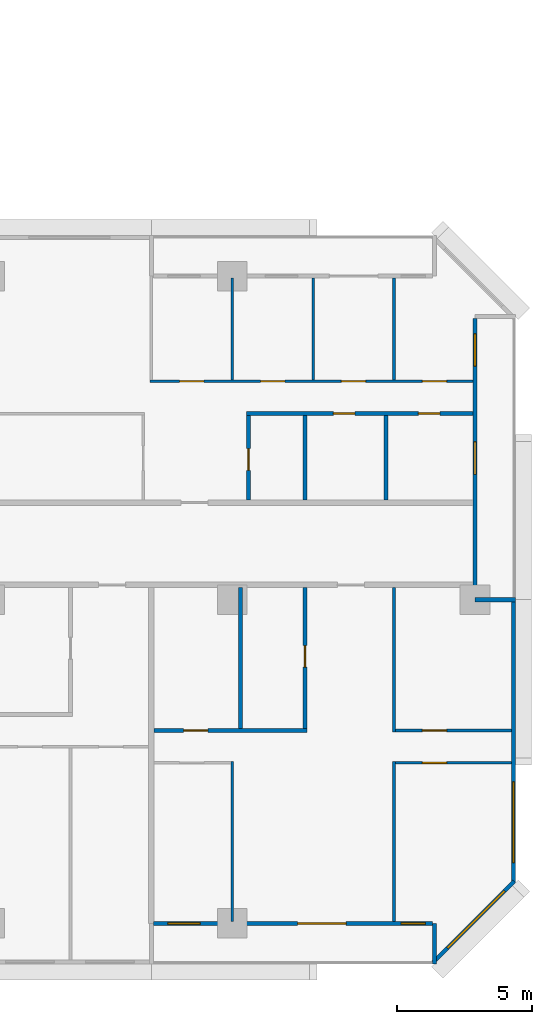
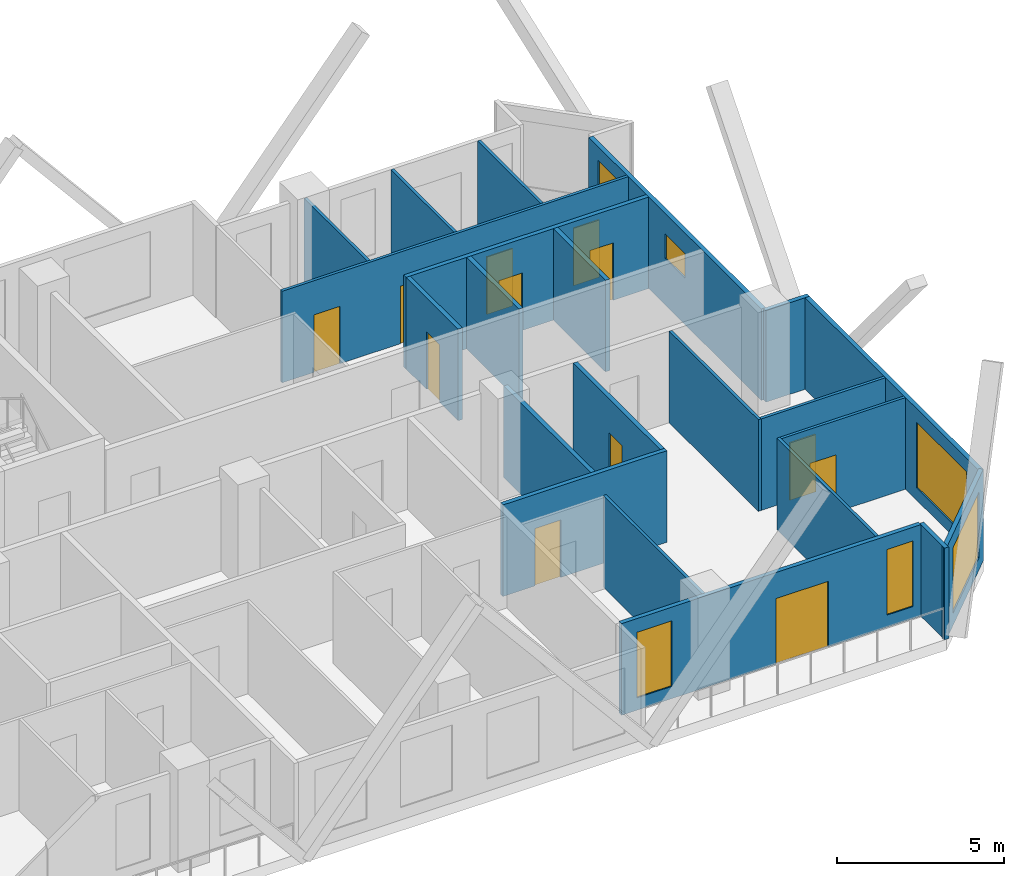
# One storey, part 11 of 15: 22 walls, 12 doors, 6 windows, 18 openings.
"""IFC4 building model written with IfcOpenShell, lengths in metres."""

from ifc_helpers import new_model, si_unit, direction, frame, frame_2d, origin, place, context, subcontext, project, spatial, rectangle, extrude, material, layer, layer_set, type_object, element, fill, save


model = new_model("IFC4")

# Units and contexts
model_context = context("Model", 3, precision=1e-05, world=origin(), true_north=direction((0.0, 1.0)))
body_context = subcontext(model_context, "Body", "Model", "MODEL_VIEW")
ifc_project = project(units=[si_unit("LENGTHUNIT", "METRE"), si_unit("AREAUNIT", "SQUARE_METRE"), si_unit("VOLUMEUNIT", "CUBIC_METRE"), si_unit("PLANEANGLEUNIT", "RADIAN"), si_unit("MASSUNIT", "GRAM", prefix="KILO")], contexts=[model_context])

# Site, building, storey
site_placement = place(None, origin())
site = spatial("IfcSite", under=ifc_project, at=site_placement, CompositionType="ELEMENT")
building_placement = place(site_placement, origin())
building = spatial("IfcBuilding", under=site, at=building_placement, Name="Chenar Terraces", CompositionType="ELEMENT")
storey_placement = place(building_placement, frame((0.0, 0.0, 41.39990234375)))
storey = spatial("IfcBuildingStorey", under=building, at=storey_placement, Name="L07", CompositionType="ELEMENT", Elevation=41.39990234375)

# Wall, opening, window
ifc_material_1 = material(Name="Aluminium framed glazing", Category="aluminium")
ifc_layer_1 = layer(ifc_material_1, 0.14990234375)
ifc_layer_set_1 = layer_set([ifc_layer_1], Name="Aluminium framed glazing")
wall_type_1 = type_object("IfcWallType", Name="Glazed flush facade wall 150", PredefinedType="SOLIDWALL", material=ifc_layer_set_1)
wall_1_placement = place(storey_placement, frame((73.425048828125, 1.5, 0.0), z_axis=(0.0, 0.0, 1.0), x_axis=(0.0, 1.0, 0.0)))
wall_1 = element("IfcWall", 1, at=wall_1_placement, inside=storey, type_object=wall_type_1, Name="Glazed flush facade wall", PredefinedType="SOLIDWALL", context=body_context, shape_type="SweptSolid", body=[
    extrude(rectangle(XDim=10.425048828125, YDim=0.14990234375, at=frame_2d((5.21240234375, 0.0))), origin(), (0.0, 0.0, 1.0), 3.35009765625),
])
opening_1_placement = place(wall_1_placement, frame((0.75, 0.0, 0.449951171875)))
opening_1 = element("IfcOpeningElement", 2, at=opening_1_placement, cuts=wall_1, Name="Opening W300x240", PredefinedType="OPENING", context=body_context, shape_type="SweptSolid", body=[
    extrude(rectangle(XDim=3.0, YDim=2.39990234375, at=frame_2d((1.5, 1.199951171875))), frame((0.0, 0.0849609375, 0.0), z_axis=(0.0, -1.0, 0.0), x_axis=(1.0, 0.0, 0.0)), (0.0, 0.0, 1.0), 0.169921875),
])
ifc_material_2 = material(Name="Low emissivity double glazing, aluminium frame", Category="aluminium")
window_type_1 = type_object("IfcWindowType", Name="Fixed light 3000 x 2400", PartitioningType="SINGLE_PANEL", PredefinedType="WINDOW", material=ifc_material_2)
window_1_placement = place(opening_1_placement, origin())
window_1 = element("IfcWindow", 3, at=window_1_placement, inside=storey, type_object=window_type_1, Name="Window", OverallHeight=2.39990234375, OverallWidth=3.0, PartitioningType="SINGLE_PANEL", PredefinedType="WINDOW", context=body_context, shape_type="SweptSolid", body=[
    extrude(rectangle(XDim=3.0, YDim=2.39990234375, at=frame_2d((1.5, 1.199951171875))), frame((0.0, 0.030029296875, 0.0), z_axis=(0.0, -1.0, 0.0), x_axis=(1.0, 0.0, 0.0)), (0.0, 0.0, 1.0), 0.06005859375),
])
fill(opening_1, window_1)

# Wall, openings, windows, door
ifc_material_3 = material(Name="Aluminium framed glazing", Category="aluminium")
ifc_layer_2 = layer(ifc_material_3, 0.14990234375)
ifc_layer_set_2 = layer_set([ifc_layer_2], Name="Aluminium framed glazing")
wall_type_2 = type_object("IfcWallType", Name="Glazed loggia back wall 150", PredefinedType="SOLIDWALL", material=ifc_layer_set_2)
wall_2_placement = place(storey_placement, frame((60.074951171875, 0.0, 0.0), z_axis=(0.0, 0.0, 1.0), x_axis=(1.0, 0.0, 0.0)))
wall_2 = element("IfcWall", 4, at=wall_2_placement, inside=storey, type_object=wall_type_2, Name="Glazed loggia back wall", PredefinedType="SOLIDWALL", context=body_context, shape_type="SweptSolid", body=[
    extrude(rectangle(XDim=10.35009765625, YDim=0.14990234375, at=frame_2d((5.175048828125, 0.0))), origin(), (0.0, 0.0, 1.0), 3.35009765625),
])
opening_2_placement = place(wall_2_placement, frame((0.53759765625, 0.0, 0.449951171875)))
opening_2 = element("IfcOpeningElement", 5, at=opening_2_placement, cuts=wall_2, Name="Opening W120x240", PredefinedType="OPENING", context=body_context, shape_type="SweptSolid", body=[
    extrude(rectangle(XDim=1.199951171875, YDim=2.39990234375, at=frame_2d((0.60009765625, 1.199951171875))), frame((0.0, 0.0849609375, 0.0), z_axis=(0.0, -1.0, 0.0), x_axis=(1.0, 0.0, 0.0)), (0.0, 0.0, 1.0), 0.169921875),
])
opening_3_placement = place(wall_2_placement, frame((5.35009765625, 0.0, 0.0)))
opening_3 = element("IfcOpeningElement", 6, at=opening_3_placement, cuts=wall_2, Name="Opening DL07-G8", PredefinedType="OPENING", context=body_context, shape_type="SweptSolid", body=[
    extrude(rectangle(XDim=1.800048828125, YDim=2.39990234375, at=frame_2d((0.89990234375, 1.199951171875))), frame((0.0, 0.0849609375, 0.0), z_axis=(0.0, -1.0, 0.0), x_axis=(1.0, 0.0, 0.0)), (0.0, 0.0, 1.0), 0.169921875),
])
opening_4_placement = place(wall_2_placement, frame((9.1875, 0.0, 0.449951171875)))
opening_4 = element("IfcOpeningElement", 7, at=opening_4_placement, cuts=wall_2, Name="Opening W90x240", PredefinedType="OPENING", context=body_context, shape_type="SweptSolid", body=[
    extrude(rectangle(XDim=0.89990234375, YDim=2.39990234375, at=frame_2d((0.449951171875, 1.199951171875))), frame((0.0, 0.0849609375, 0.0), z_axis=(0.0, -1.0, 0.0), x_axis=(1.0, 0.0, 0.0)), (0.0, 0.0, 1.0), 0.169921875),
])
ifc_material_4 = material(Name="Low emissivity double glazing, aluminium frame", Category="aluminium")
window_type_2 = type_object("IfcWindowType", Name="Fixed light 1200 x 2400", PartitioningType="SINGLE_PANEL", PredefinedType="WINDOW", material=ifc_material_4)
window_2_placement = place(opening_2_placement, origin())
window_2 = element("IfcWindow", 8, at=window_2_placement, inside=storey, type_object=window_type_2, Name="Window", OverallHeight=2.39990234375, OverallWidth=1.199951171875, PartitioningType="SINGLE_PANEL", PredefinedType="WINDOW", context=body_context, shape_type="SweptSolid", body=[
    extrude(rectangle(XDim=1.199951171875, YDim=2.39990234375, at=frame_2d((0.60009765625, 1.199951171875))), frame((0.0, 0.030029296875, 0.0), z_axis=(0.0, -1.0, 0.0), x_axis=(1.0, 0.0, 0.0)), (0.0, 0.0, 1.0), 0.06005859375),
])
fill(opening_2, window_2)
ifc_material_5 = material(Name="Low emissivity double glazing, aluminium frame", Category="aluminium")
window_type_3 = type_object("IfcWindowType", Name="Fixed light 900 x 2400", PartitioningType="SINGLE_PANEL", PredefinedType="WINDOW", material=ifc_material_5)
window_3_placement = place(opening_4_placement, origin())
window_3 = element("IfcWindow", 9, at=window_3_placement, inside=storey, type_object=window_type_3, Name="Window", OverallHeight=2.39990234375, OverallWidth=0.89990234375, PartitioningType="SINGLE_PANEL", PredefinedType="WINDOW", context=body_context, shape_type="SweptSolid", body=[
    extrude(rectangle(XDim=0.89990234375, YDim=2.39990234375, at=frame_2d((0.449951171875, 1.199951171875))), frame((0.0, 0.030029296875, 0.0), z_axis=(0.0, -1.0, 0.0), x_axis=(1.0, 0.0, 0.0)), (0.0, 0.0, 1.0), 0.06005859375),
])
fill(opening_4, window_3)
ifc_material_6 = material(Name="Low emissivity double glazing, aluminium frame", Category="aluminium")
door_type_1 = type_object("IfcDoorType", Name="Loggia glazed double door 1800 x 2400", OperationType="DOUBLE_DOOR_SINGLE_SWING", PredefinedType="DOOR", material=ifc_material_6)
door_1_placement = place(opening_3_placement, frame((1.800048828125, 0.0, 0.0), z_axis=(0.0, 0.0, 1.0), x_axis=(-1.0, 0.0, 0.0)))
door_1 = element("IfcDoor", 10, at=door_1_placement, inside=storey, type_object=door_type_1, Name="Loggia glazed door", OperationType="DOUBLE_DOOR_SINGLE_SWING", OverallHeight=2.39990234375, OverallWidth=1.800048828125, PredefinedType="DOOR", context=body_context, shape_type="SweptSolid", body=[
    extrude(rectangle(XDim=1.800048828125, YDim=2.39990234375, at=frame_2d((0.89990234375, 1.199951171875))), frame((0.0, 0.02490234375, 0.0), z_axis=(0.0, -1.0, 0.0), x_axis=(1.0, 0.0, 0.0)), (0.0, 0.0, 1.0), 0.050048828125),
])
fill(opening_3, door_1)

# Wall, openings, windows
wall_3_placement = place(storey_placement, frame((72.0, 12.074951171875, 0.0), z_axis=(0.0, 0.0, 1.0), x_axis=(0.0, 1.0, 0.0)))
wall_3 = element("IfcWall", 11, at=wall_3_placement, inside=storey, type_object=wall_type_2, Name="Glazed loggia back wall", PredefinedType="SOLIDWALL", context=body_context, shape_type="SweptSolid", body=[
    extrude(rectangle(XDim=10.35009765625, YDim=0.14990234375, at=frame_2d((5.175048828125, 0.0))), origin(), (0.0, 0.0, 1.0), 3.35009765625),
])
opening_5_placement = place(wall_3_placement, frame((4.574951171875, 0.0, 1.699951171875)))
opening_5 = element("IfcOpeningElement", 12, at=opening_5_placement, cuts=wall_3, Name="Opening W120x90", PredefinedType="OPENING", context=body_context, shape_type="SweptSolid", body=[
    extrude(rectangle(XDim=1.199951171875, YDim=0.89990234375, at=frame_2d((0.60009765625, 0.449951171875))), frame((0.0, 0.0849609375, 0.0), z_axis=(0.0, -1.0, 0.0), x_axis=(1.0, 0.0, 0.0)), (0.0, 0.0, 1.0), 0.169921875),
])
opening_6_placement = place(wall_3_placement, frame((8.58740234375, 0.0, 0.449951171875)))
opening_6 = element("IfcOpeningElement", 13, at=opening_6_placement, cuts=wall_3, Name="Opening W120x240", PredefinedType="OPENING", context=body_context, shape_type="SweptSolid", body=[
    extrude(rectangle(XDim=1.199951171875, YDim=2.39990234375, at=frame_2d((0.60009765625, 1.199951171875))), frame((0.0, 0.0849609375, 0.0), z_axis=(0.0, -1.0, 0.0), x_axis=(1.0, 0.0, 0.0)), (0.0, 0.0, 1.0), 0.169921875),
])
window_4_placement = place(opening_6_placement, origin())
window_4 = element("IfcWindow", 14, at=window_4_placement, inside=storey, type_object=window_type_2, Name="Window", OverallHeight=2.39990234375, OverallWidth=1.199951171875, PartitioningType="SINGLE_PANEL", PredefinedType="WINDOW", context=body_context, shape_type="SweptSolid", body=[
    extrude(rectangle(XDim=1.199951171875, YDim=2.39990234375, at=frame_2d((0.60009765625, 1.199951171875))), frame((0.0, 0.030029296875, 0.0), z_axis=(0.0, -1.0, 0.0), x_axis=(1.0, 0.0, 0.0)), (0.0, 0.0, 1.0), 0.06005859375),
])
fill(opening_6, window_4)
ifc_material_7 = material(Name="Low emissivity double glazing, aluminium frame", Category="aluminium")
window_type_4 = type_object("IfcWindowType", Name="Fixed light 1200 x 900", PartitioningType="SINGLE_PANEL", PredefinedType="WINDOW", material=ifc_material_7)
window_5_placement = place(opening_5_placement, origin())
window_5 = element("IfcWindow", 15, at=window_5_placement, inside=storey, type_object=window_type_4, Name="Window", OverallHeight=0.89990234375, OverallWidth=1.199951171875, PartitioningType="SINGLE_PANEL", PredefinedType="WINDOW", context=body_context, shape_type="SweptSolid", body=[
    extrude(rectangle(XDim=1.199951171875, YDim=0.89990234375, at=frame_2d((0.60009765625, 0.449951171875))), frame((0.0, 0.030029296875, 0.0), z_axis=(0.0, -1.0, 0.0), x_axis=(1.0, 0.0, 0.0)), (0.0, 0.0, 1.0), 0.06005859375),
])
fill(opening_5, window_5)

# Wall, openings, doors
ifc_material_8 = material(Name="Gypsum board on steel studs", Category="steel")
ifc_layer_3 = layer(ifc_material_8, 0.10009765625)
ifc_layer_set_3 = layer_set([ifc_layer_3], Name="Gypsum board on steel studs")
wall_type_3 = type_object("IfcWallType", Name="Gypsum partition 100", PredefinedType="PARTITIONING", material=ifc_layer_set_3)
wall_4_placement = place(storey_placement, frame((59.949951171875, 20.10009765625, 0.0), z_axis=(0.0, 0.0, 1.0), x_axis=(1.0, 0.0, 0.0)))
wall_4 = element("IfcWall", 16, at=wall_4_placement, inside=storey, type_object=wall_type_3, Name="Partition L07-084", PredefinedType="PARTITIONING", context=body_context, shape_type="SweptSolid", body=[
    extrude(rectangle(XDim=11.97607421875, YDim=0.10009765625, at=frame_2d((5.988037109375, 0.0))), origin(), (0.0, 0.0, 1.0), 3.35009765625),
])
opening_7_placement = place(wall_4_placement, frame((1.10009765625, 0.0, 0.0)))
opening_7 = element("IfcOpeningElement", 17, at=opening_7_placement, cuts=wall_4, Name="Opening DL07-5", PredefinedType="OPENING", context=body_context, shape_type="SweptSolid", body=[
    extrude(rectangle(XDim=0.89990234375, YDim=2.10009765625, at=frame_2d((0.449951171875, 1.050048828125))), frame((0.0, 0.06005859375, 0.0), z_axis=(0.0, -1.0, 0.0), x_axis=(1.0, 0.0, 0.0)), (0.0, 0.0, 1.0), 0.1201171875),
])
opening_8_placement = place(wall_4_placement, frame((4.10009765625, 0.0, 0.0)))
opening_8 = element("IfcOpeningElement", 18, at=opening_8_placement, cuts=wall_4, Name="Opening DL07-6", PredefinedType="OPENING", context=body_context, shape_type="SweptSolid", body=[
    extrude(rectangle(XDim=0.89990234375, YDim=2.10009765625, at=frame_2d((0.449951171875, 1.050048828125))), frame((0.0, 0.06005859375, 0.0), z_axis=(0.0, -1.0, 0.0), x_axis=(1.0, 0.0, 0.0)), (0.0, 0.0, 1.0), 0.1201171875),
])
opening_9_placement = place(wall_4_placement, frame((7.10009765625, 0.0, 0.0)))
opening_9 = element("IfcOpeningElement", 19, at=opening_9_placement, cuts=wall_4, Name="Opening DL07-7", PredefinedType="OPENING", context=body_context, shape_type="SweptSolid", body=[
    extrude(rectangle(XDim=0.89990234375, YDim=2.10009765625, at=frame_2d((0.449951171875, 1.050048828125))), frame((0.0, 0.06005859375, 0.0), z_axis=(0.0, -1.0, 0.0), x_axis=(1.0, 0.0, 0.0)), (0.0, 0.0, 1.0), 0.1201171875),
])
opening_10_placement = place(wall_4_placement, frame((10.10009765625, 0.0, 0.0)))
opening_10 = element("IfcOpeningElement", 20, at=opening_10_placement, cuts=wall_4, Name="Opening DL07-8", PredefinedType="OPENING", context=body_context, shape_type="SweptSolid", body=[
    extrude(rectangle(XDim=0.89990234375, YDim=2.10009765625, at=frame_2d((0.449951171875, 1.050048828125))), frame((0.0, 0.06005859375, 0.0), z_axis=(0.0, -1.0, 0.0), x_axis=(1.0, 0.0, 0.0)), (0.0, 0.0, 1.0), 0.1201171875),
])
ifc_material_9 = material(Name="Veneered timber door leaf", Category="wood")
door_type_2 = type_object("IfcDoorType", Name="Door 900 x 2100", OperationType="SINGLE_SWING_LEFT", PredefinedType="DOOR", material=ifc_material_9)
door_2_placement = place(opening_7_placement, origin())
door_2 = element("IfcDoor", 21, at=door_2_placement, inside=storey, type_object=door_type_2, Name="Door DL07-5", OperationType="SINGLE_SWING_LEFT", OverallHeight=2.10009765625, OverallWidth=0.89990234375, PredefinedType="DOOR", context=body_context, shape_type="SweptSolid", body=[
    extrude(rectangle(XDim=0.89990234375, YDim=2.10009765625, at=frame_2d((0.449951171875, 1.050048828125))), frame((0.0, 0.02490234375, 0.0), z_axis=(0.0, -1.0, 0.0), x_axis=(1.0, 0.0, 0.0)), (0.0, 0.0, 1.0), 0.050048828125),
])
fill(opening_7, door_2)
door_3_placement = place(opening_8_placement, origin())
door_3 = element("IfcDoor", 22, at=door_3_placement, inside=storey, type_object=door_type_2, Name="Door DL07-6", OperationType="SINGLE_SWING_LEFT", OverallHeight=2.10009765625, OverallWidth=0.89990234375, PredefinedType="DOOR", context=body_context, shape_type="SweptSolid", body=[
    extrude(rectangle(XDim=0.89990234375, YDim=2.10009765625, at=frame_2d((0.449951171875, 1.050048828125))), frame((0.0, 0.02490234375, 0.0), z_axis=(0.0, -1.0, 0.0), x_axis=(1.0, 0.0, 0.0)), (0.0, 0.0, 1.0), 0.050048828125),
])
fill(opening_8, door_3)
door_4_placement = place(opening_9_placement, origin())
door_4 = element("IfcDoor", 23, at=door_4_placement, inside=storey, type_object=door_type_2, Name="Door DL07-7", OperationType="SINGLE_SWING_LEFT", OverallHeight=2.10009765625, OverallWidth=0.89990234375, PredefinedType="DOOR", context=body_context, shape_type="SweptSolid", body=[
    extrude(rectangle(XDim=0.89990234375, YDim=2.10009765625, at=frame_2d((0.449951171875, 1.050048828125))), frame((0.0, 0.02490234375, 0.0), z_axis=(0.0, -1.0, 0.0), x_axis=(1.0, 0.0, 0.0)), (0.0, 0.0, 1.0), 0.050048828125),
])
fill(opening_9, door_4)
door_5_placement = place(opening_10_placement, origin())
door_5 = element("IfcDoor", 24, at=door_5_placement, inside=storey, type_object=door_type_2, Name="Door DL07-8", OperationType="SINGLE_SWING_LEFT", OverallHeight=2.10009765625, OverallWidth=0.89990234375, PredefinedType="DOOR", context=body_context, shape_type="SweptSolid", body=[
    extrude(rectangle(XDim=0.89990234375, YDim=2.10009765625, at=frame_2d((0.449951171875, 1.050048828125))), frame((0.0, 0.02490234375, 0.0), z_axis=(0.0, -1.0, 0.0), x_axis=(1.0, 0.0, 0.0)), (0.0, 0.0, 1.0), 0.050048828125),
])
fill(opening_10, door_5)

# Walls
wall_5_placement = place(storey_placement, frame((63.0, 0.073974609375, 0.0), z_axis=(0.0, 0.0, 1.0), x_axis=(0.0, 1.0, 0.0)))
element("IfcWall", 25, at=wall_5_placement, inside=storey, type_object=wall_type_3, Name="Partition L07-089", PredefinedType="PARTITIONING", context=body_context, shape_type="SweptSolid", body=[
    extrude(rectangle(XDim=5.926025390625, YDim=0.10009765625, at=frame_2d((2.962890625, 0.0))), origin(), (0.0, 0.0, 1.0), 3.35009765625),
])
for number, where, z_axis, x_axis, name in (
    (26, (63.0, 20.14990234375, 0.0), (0.0, 0.0, 1.0), (0.0, 1.0, 0.0), "Partition L07-090"),
    (27, (66.0, 20.14990234375, 0.0), (0.0, 0.0, 1.0), (0.0, 1.0, 0.0), "Partition L07-096"),
):
    element("IfcWall", number, at=place(storey_placement, frame(where, z_axis=z_axis, x_axis=x_axis)), inside=storey, type_object=wall_type_3, Name=name, PredefinedType="PARTITIONING", context=body_context, shape_type="SweptSolid", body=[
        extrude(rectangle(XDim=3.776123046875, YDim=0.10009765625, at=frame_2d((1.88818359375, 0.0))), origin(), (0.0, 0.0, 1.0), 3.35009765625),
    ])
wall_6_placement = place(storey_placement, frame((69.0, 0.073974609375, 0.0), z_axis=(0.0, 0.0, 1.0), x_axis=(0.0, 1.0, 0.0)))
element("IfcWall", 28, at=wall_6_placement, inside=storey, type_object=wall_type_3, Name="Partition L07-098", PredefinedType="PARTITIONING", context=body_context, shape_type="SweptSolid", body=[
    extrude(rectangle(XDim=5.926025390625, YDim=0.10009765625, at=frame_2d((2.962890625, 0.0))), origin(), (0.0, 0.0, 1.0), 3.35009765625),
])
wall_7_placement = place(storey_placement, frame((69.0, 7.10009765625, 0.0), z_axis=(0.0, 0.0, 1.0), x_axis=(0.0, 1.0, 0.0)))
element("IfcWall", 29, at=wall_7_placement, inside=storey, type_object=wall_type_3, Name="Partition L07-099", PredefinedType="PARTITIONING", context=body_context, shape_type="SweptSolid", body=[
    extrude(rectangle(XDim=5.349853515625, YDim=0.10009765625, at=frame_2d((2.6748046875, 0.0))), origin(), (0.0, 0.0, 1.0), 3.35009765625),
])
wall_8_placement = place(storey_placement, frame((69.0, 20.14990234375, 0.0), z_axis=(0.0, 0.0, 1.0), x_axis=(0.0, 1.0, 0.0)))
element("IfcWall", 30, at=wall_8_placement, inside=storey, type_object=wall_type_3, Name="Partition L07-100", PredefinedType="PARTITIONING", context=body_context, shape_type="SweptSolid", body=[
    extrude(rectangle(XDim=3.776123046875, YDim=0.10009765625, at=frame_2d((1.88818359375, 0.0))), origin(), (0.0, 0.0, 1.0), 3.35009765625),
])

# Wall, opening, door
wall_9_placement = place(storey_placement, frame((69.050048828125, 5.949951171875, 0.0), z_axis=(0.0, 0.0, 1.0), x_axis=(1.0, 0.0, 0.0)))
wall_9 = element("IfcWall", 31, at=wall_9_placement, inside=storey, type_object=wall_type_3, Name="Partition L07-101", PredefinedType="PARTITIONING", context=body_context, shape_type="SweptSolid", body=[
    extrude(rectangle(XDim=4.300048828125, YDim=0.10009765625, at=frame_2d((2.14990234375, 0.0))), origin(), (0.0, 0.0, 1.0), 3.35009765625),
])
opening_11_placement = place(wall_9_placement, frame((1.0, 0.0, 0.0)))
opening_11 = element("IfcOpeningElement", 32, at=opening_11_placement, cuts=wall_9, Name="Opening DL07-21", PredefinedType="OPENING", context=body_context, shape_type="SweptSolid", body=[
    extrude(rectangle(XDim=0.89990234375, YDim=2.10009765625, at=frame_2d((0.449951171875, 1.050048828125))), frame((0.0, 0.06005859375, 0.0), z_axis=(0.0, -1.0, 0.0), x_axis=(1.0, 0.0, 0.0)), (0.0, 0.0, 1.0), 0.1201171875),
])
door_6_placement = place(opening_11_placement, frame((0.89990234375, 0.0, 0.0), z_axis=(0.0, 0.0, 1.0), x_axis=(-1.0, 0.0, 0.0)))
door_6 = element("IfcDoor", 33, at=door_6_placement, inside=storey, type_object=door_type_2, Name="Door DL07-21", OperationType="SINGLE_SWING_RIGHT", OverallHeight=2.10009765625, OverallWidth=0.89990234375, PredefinedType="DOOR", context=body_context, shape_type="SweptSolid", body=[
    extrude(rectangle(XDim=0.89990234375, YDim=2.10009765625, at=frame_2d((0.449951171875, 1.050048828125))), frame((0.0, 0.02490234375, 0.0), z_axis=(0.0, -1.0, 0.0), x_axis=(1.0, 0.0, 0.0)), (0.0, 0.0, 1.0), 0.050048828125),
])
fill(opening_11, door_6)

wall_10_placement = place(storey_placement, frame((69.050048828125, 7.14990234375, 0.0), z_axis=(0.0, 0.0, 1.0), x_axis=(1.0, 0.0, 0.0)))
wall_10 = element("IfcWall", 34, at=wall_10_placement, inside=storey, type_object=wall_type_3, Name="Partition L07-102", PredefinedType="PARTITIONING", context=body_context, shape_type="SweptSolid", body=[
    extrude(rectangle(XDim=4.300048828125, YDim=0.10009765625, at=frame_2d((2.14990234375, 0.0))), origin(), (0.0, 0.0, 1.0), 3.35009765625),
])
opening_12_placement = place(wall_10_placement, frame((1.0, 0.0, 0.0)))
opening_12 = element("IfcOpeningElement", 35, at=opening_12_placement, cuts=wall_10, Name="Opening DL07-22", PredefinedType="OPENING", context=body_context, shape_type="SweptSolid", body=[
    extrude(rectangle(XDim=0.89990234375, YDim=2.10009765625, at=frame_2d((0.449951171875, 1.050048828125))), frame((0.0, 0.06005859375, 0.0), z_axis=(0.0, -1.0, 0.0), x_axis=(1.0, 0.0, 0.0)), (0.0, 0.0, 1.0), 0.1201171875),
])
door_7_placement = place(opening_12_placement, origin())
door_7 = element("IfcDoor", 36, at=door_7_placement, inside=storey, type_object=door_type_2, Name="Door DL07-22", OperationType="SINGLE_SWING_LEFT", OverallHeight=2.10009765625, OverallWidth=0.89990234375, PredefinedType="DOOR", context=body_context, shape_type="SweptSolid", body=[
    extrude(rectangle(XDim=0.89990234375, YDim=2.10009765625, at=frame_2d((0.449951171875, 1.050048828125))), frame((0.0, 0.02490234375, 0.0), z_axis=(0.0, -1.0, 0.0), x_axis=(1.0, 0.0, 0.0)), (0.0, 0.0, 1.0), 0.050048828125),
])
fill(opening_12, door_7)

# Walls
ifc_material_10 = material(Name="Terracotta cladding on insulated backing", Category="masonry")
ifc_layer_4 = layer(ifc_material_10, 0.14990234375)
ifc_layer_set_4 = layer_set([ifc_layer_4], Name="Terracotta cladding on insulated backing")
wall_type_4 = type_object("IfcWallType", Name="Loggia return wall 150", PredefinedType="SOLIDWALL", material=ifc_layer_set_4)
for number, where, z_axis, x_axis, name in (
    (37, (70.5, -1.5, 0.0), (0.0, 0.0, 1.0), (0.0, 1.0, 0.0), "Loggia return wall"),
    (38, (73.5, 12.0, 0.0), (0.0, 0.0, 1.0), (-1.0, 0.0, 0.0), "Loggia return wall"),
):
    element("IfcWall", number, at=place(storey_placement, frame(where, z_axis=z_axis, x_axis=x_axis)), inside=storey, type_object=wall_type_4, Name=name, PredefinedType="SOLIDWALL", context=body_context, shape_type="SweptSolid", body=[
        extrude(rectangle(XDim=1.5, YDim=0.14990234375, at=frame_2d((0.75, 0.0))), origin(), (0.0, 0.0, 1.0), 3.35009765625),
    ])

# Wall, opening, window
ifc_material_11 = material(Name="Terracotta cladding on insulated backing", Category="masonry")
ifc_layer_5 = layer(ifc_material_11, 0.14990234375)
ifc_layer_set_5 = layer_set([ifc_layer_5], Name="Terracotta cladding on insulated backing")
wall_type_5 = type_object("IfcWallType", Name="Terracotta rainscreen wall 150", PredefinedType="SOLIDWALL", material=ifc_layer_set_5)
wall_11_placement = place(storey_placement, frame((70.447021484375, -1.447021484375, 0.0), z_axis=(0.0, 0.0, 1.0), x_axis=(0.707106781187, 0.707106781187, 0.0)))
wall_11 = element("IfcWall", 39, at=wall_11_placement, inside=storey, type_object=wall_type_5, Name="Terracotta rainscreen wall", PredefinedType="SOLIDWALL", context=body_context, shape_type="SweptSolid", body=[
    extrude(rectangle(XDim=4.24267578125, YDim=0.14990234375, at=frame_2d((2.121337890625, 0.0))), origin(), (0.0, 0.0, 1.0), 3.35009765625),
])
opening_13_placement = place(wall_11_placement, frame((0.744384765625, 0.0, 0.449951171875)))
opening_13 = element("IfcOpeningElement", 40, at=opening_13_placement, cuts=wall_11, Name="Opening W300x240", PredefinedType="OPENING", context=body_context, shape_type="SweptSolid", body=[
    extrude(rectangle(XDim=3.0, YDim=2.39990234375, at=frame_2d((1.5, 1.199951171875))), frame((0.0, 0.0849609375, 0.0), z_axis=(0.0, -1.0, 0.0), x_axis=(1.0, 0.0, 0.0)), (0.0, 0.0, 1.0), 0.169921875),
])
window_6_placement = place(opening_13_placement, origin())
window_6 = element("IfcWindow", 41, at=window_6_placement, inside=storey, type_object=window_type_1, Name="Window", OverallHeight=2.39990234375, OverallWidth=3.0, PartitioningType="SINGLE_PANEL", PredefinedType="WINDOW", context=body_context, shape_type="SweptSolid", body=[
    extrude(rectangle(XDim=3.0, YDim=2.39990234375, at=frame_2d((1.5, 1.199951171875))), frame((0.0, 0.030029296875, 0.0), z_axis=(0.0, -1.0, 0.0), x_axis=(1.0, 0.0, 0.0)), (0.0, 0.0, 1.0), 0.06005859375),
])
fill(opening_13, window_6)

# Wall, opening, door
ifc_material_12 = material(Name="Moisture-resistant gypsum board on steel studs", Category="steel")
ifc_layer_6 = layer(ifc_material_12, 0.14990234375)
ifc_layer_set_6 = layer_set([ifc_layer_6], Name="Moisture-resistant gypsum board on steel studs")
wall_type_6 = type_object("IfcWallType", Name="Wet-room partition 150", PredefinedType="PARTITIONING", material=ifc_layer_set_6)
wall_12_placement = place(storey_placement, frame((60.10009765625, 7.14990234375, 0.0), z_axis=(0.0, 0.0, 1.0), x_axis=(1.0, 0.0, 0.0)))
wall_12 = element("IfcWall", 42, at=wall_12_placement, inside=storey, type_object=wall_type_6, Name="Partition L07-088", PredefinedType="PARTITIONING", context=body_context, shape_type="SweptSolid", body=[
    extrude(rectangle(XDim=5.6748046875, YDim=0.14990234375, at=frame_2d((2.83740234375, 0.0))), origin(), (0.0, 0.0, 1.0), 3.35009765625),
])
opening_14_placement = place(wall_12_placement, frame((1.10009765625, 0.0, 0.0)))
opening_14 = element("IfcOpeningElement", 43, at=opening_14_placement, cuts=wall_12, Name="Opening DL07-24", PredefinedType="OPENING", context=body_context, shape_type="SweptSolid", body=[
    extrude(rectangle(XDim=0.89990234375, YDim=2.10009765625, at=frame_2d((0.449951171875, 1.050048828125))), frame((0.0, 0.0849609375, 0.0), z_axis=(0.0, -1.0, 0.0), x_axis=(1.0, 0.0, 0.0)), (0.0, 0.0, 1.0), 0.169921875),
])
door_8_placement = place(opening_14_placement, origin())
door_8 = element("IfcDoor", 44, at=door_8_placement, inside=storey, type_object=door_type_2, Name="Door DL07-24", OperationType="SINGLE_SWING_LEFT", OverallHeight=2.10009765625, OverallWidth=0.89990234375, PredefinedType="DOOR", context=body_context, shape_type="SweptSolid", body=[
    extrude(rectangle(XDim=0.89990234375, YDim=2.10009765625, at=frame_2d((0.449951171875, 1.050048828125))), frame((0.0, 0.02490234375, 0.0), z_axis=(0.0, -1.0, 0.0), x_axis=(1.0, 0.0, 0.0)), (0.0, 0.0, 1.0), 0.050048828125),
])
fill(opening_14, door_8)

# Wall
wall_13_placement = place(storey_placement, frame((63.300048828125, 7.22509765625, 0.0), z_axis=(0.0, 0.0, 1.0), x_axis=(0.0, 1.0, 0.0)))
element("IfcWall", 45, at=wall_13_placement, inside=storey, type_object=wall_type_6, Name="Partition L07-091", PredefinedType="PARTITIONING", context=body_context, shape_type="SweptSolid", body=[
    extrude(rectangle(XDim=5.224853515625, YDim=0.14990234375, at=frame_2d((2.6123046875, 0.0))), origin(), (0.0, 0.0, 1.0), 3.35009765625),
])

# Wall, openings, doors
wall_14_placement = place(storey_placement, frame((63.52490234375, 18.89990234375, 0.0), z_axis=(0.0, 0.0, 1.0), x_axis=(1.0, 0.0, 0.0)))
wall_14 = element("IfcWall", 46, at=wall_14_placement, inside=storey, type_object=wall_type_6, Name="Partition L07-092", PredefinedType="PARTITIONING", context=body_context, shape_type="SweptSolid", body=[
    extrude(rectangle(XDim=8.401123046875, YDim=0.14990234375, at=frame_2d((4.20068359375, 0.0))), origin(), (0.0, 0.0, 1.0), 3.35009765625),
])
opening_15_placement = place(wall_14_placement, frame((6.375, 0.0, 0.0)))
opening_15 = element("IfcOpeningElement", 47, at=opening_15_placement, cuts=wall_14, Name="Opening DL07-10", PredefinedType="OPENING", context=body_context, shape_type="SweptSolid", body=[
    extrude(rectangle(XDim=0.800048828125, YDim=2.10009765625, at=frame_2d((0.39990234375, 1.050048828125))), frame((0.0, 0.0849609375, 0.0), z_axis=(0.0, -1.0, 0.0), x_axis=(1.0, 0.0, 0.0)), (0.0, 0.0, 1.0), 0.169921875),
])
opening_16_placement = place(wall_14_placement, frame((3.22509765625, 0.0, 0.0)))
opening_16 = element("IfcOpeningElement", 48, at=opening_16_placement, cuts=wall_14, Name="Opening DL07-12", PredefinedType="OPENING", context=body_context, shape_type="SweptSolid", body=[
    extrude(rectangle(XDim=0.800048828125, YDim=2.10009765625, at=frame_2d((0.39990234375, 1.050048828125))), frame((0.0, 0.0849609375, 0.0), z_axis=(0.0, -1.0, 0.0), x_axis=(1.0, 0.0, 0.0)), (0.0, 0.0, 1.0), 0.169921875),
])
ifc_material_13 = material(Name="Veneered timber door leaf", Category="wood")
door_type_3 = type_object("IfcDoorType", Name="Door 800 x 2100", OperationType="SINGLE_SWING_LEFT", PredefinedType="DOOR", material=ifc_material_13)
door_9_placement = place(opening_15_placement, frame((0.800048828125, 0.0, 0.0), z_axis=(0.0, 0.0, 1.0), x_axis=(-1.0, 0.0, 0.0)))
door_9 = element("IfcDoor", 49, at=door_9_placement, inside=storey, type_object=door_type_3, Name="Door DL07-10", OperationType="SINGLE_SWING_RIGHT", OverallHeight=2.10009765625, OverallWidth=0.800048828125, PredefinedType="DOOR", context=body_context, shape_type="SweptSolid", body=[
    extrude(rectangle(XDim=0.800048828125, YDim=2.10009765625, at=frame_2d((0.39990234375, 1.050048828125))), frame((0.0, 0.02490234375, 0.0), z_axis=(0.0, -1.0, 0.0), x_axis=(1.0, 0.0, 0.0)), (0.0, 0.0, 1.0), 0.050048828125),
])
fill(opening_15, door_9)
door_10_placement = place(opening_16_placement, frame((0.800048828125, 0.0, 0.0), z_axis=(0.0, 0.0, 1.0), x_axis=(-1.0, 0.0, 0.0)))
door_10 = element("IfcDoor", 50, at=door_10_placement, inside=storey, type_object=door_type_3, Name="Door DL07-12", OperationType="SINGLE_SWING_RIGHT", OverallHeight=2.10009765625, OverallWidth=0.800048828125, PredefinedType="DOOR", context=body_context, shape_type="SweptSolid", body=[
    extrude(rectangle(XDim=0.800048828125, YDim=2.10009765625, at=frame_2d((0.39990234375, 1.050048828125))), frame((0.0, 0.02490234375, 0.0), z_axis=(0.0, -1.0, 0.0), x_axis=(1.0, 0.0, 0.0)), (0.0, 0.0, 1.0), 0.050048828125),
])
fill(opening_16, door_10)

# Wall, opening, door
wall_15_placement = place(storey_placement, frame((63.60009765625, 15.699951171875, 0.0), z_axis=(0.0, 0.0, 1.0), x_axis=(0.0, 1.0, 0.0)))
wall_15 = element("IfcWall", 51, at=wall_15_placement, inside=storey, type_object=wall_type_6, Name="Partition L07-093", PredefinedType="PARTITIONING", context=body_context, shape_type="SweptSolid", body=[
    extrude(rectangle(XDim=3.125, YDim=0.14990234375, at=frame_2d((1.5625, 0.0))), origin(), (0.0, 0.0, 1.0), 3.35009765625),
])
opening_17_placement = place(wall_15_placement, frame((1.10009765625, 0.0, 0.0)))
opening_17 = element("IfcOpeningElement", 52, at=opening_17_placement, cuts=wall_15, Name="Opening DL07-4", PredefinedType="OPENING", context=body_context, shape_type="SweptSolid", body=[
    extrude(rectangle(XDim=0.800048828125, YDim=2.10009765625, at=frame_2d((0.39990234375, 1.050048828125))), frame((0.0, 0.0849609375, 0.0), z_axis=(0.0, -1.0, 0.0), x_axis=(1.0, 0.0, 0.0)), (0.0, 0.0, 1.0), 0.169921875),
])
door_11_placement = place(opening_17_placement, frame((0.800048828125, 0.0, 0.0), z_axis=(0.0, 0.0, 1.0), x_axis=(-1.0, 0.0, 0.0)))
door_11 = element("IfcDoor", 53, at=door_11_placement, inside=storey, type_object=door_type_3, Name="Door DL07-4", OperationType="SINGLE_SWING_RIGHT", OverallHeight=2.10009765625, OverallWidth=0.800048828125, PredefinedType="DOOR", context=body_context, shape_type="SweptSolid", body=[
    extrude(rectangle(XDim=0.800048828125, YDim=2.10009765625, at=frame_2d((0.39990234375, 1.050048828125))), frame((0.0, 0.02490234375, 0.0), z_axis=(0.0, -1.0, 0.0), x_axis=(1.0, 0.0, 0.0)), (0.0, 0.0, 1.0), 0.050048828125),
])
fill(opening_17, door_11)

wall_16_placement = place(storey_placement, frame((65.699951171875, 7.22509765625, 0.0), z_axis=(0.0, 0.0, 1.0), x_axis=(0.0, 1.0, 0.0)))
wall_16 = element("IfcWall", 54, at=wall_16_placement, inside=storey, type_object=wall_type_6, Name="Partition L07-094", PredefinedType="PARTITIONING", context=body_context, shape_type="SweptSolid", body=[
    extrude(rectangle(XDim=5.224853515625, YDim=0.14990234375, at=frame_2d((2.6123046875, 0.0))), origin(), (0.0, 0.0, 1.0), 3.35009765625),
])
opening_18_placement = place(wall_16_placement, frame((2.27490234375, 0.0, 0.0)))
opening_18 = element("IfcOpeningElement", 55, at=opening_18_placement, cuts=wall_16, Name="Opening DL07-19", PredefinedType="OPENING", context=body_context, shape_type="SweptSolid", body=[
    extrude(rectangle(XDim=0.800048828125, YDim=2.10009765625, at=frame_2d((0.39990234375, 1.050048828125))), frame((0.0, 0.0849609375, 0.0), z_axis=(0.0, -1.0, 0.0), x_axis=(1.0, 0.0, 0.0)), (0.0, 0.0, 1.0), 0.169921875),
])
door_12_placement = place(opening_18_placement, origin())
door_12 = element("IfcDoor", 56, at=door_12_placement, inside=storey, type_object=door_type_3, Name="Door DL07-19", OperationType="SINGLE_SWING_LEFT", OverallHeight=2.10009765625, OverallWidth=0.800048828125, PredefinedType="DOOR", context=body_context, shape_type="SweptSolid", body=[
    extrude(rectangle(XDim=0.800048828125, YDim=2.10009765625, at=frame_2d((0.39990234375, 1.050048828125))), frame((0.0, 0.02490234375, 0.0), z_axis=(0.0, -1.0, 0.0), x_axis=(1.0, 0.0, 0.0)), (0.0, 0.0, 1.0), 0.050048828125),
])
fill(opening_18, door_12)

# Walls
for number, where, z_axis, x_axis, name in (
    (57, (65.699951171875, 15.699951171875, 0.0), (0.0, 0.0, 1.0), (0.0, 1.0, 0.0), "Partition L07-095"),
    (58, (68.699951171875, 15.699951171875, 0.0), (0.0, 0.0, 1.0), (0.0, 1.0, 0.0), "Partition L07-097"),
):
    element("IfcWall", number, at=place(storey_placement, frame(where, z_axis=z_axis, x_axis=x_axis)), inside=storey, type_object=wall_type_6, Name=name, PredefinedType="PARTITIONING", context=body_context, shape_type="SweptSolid", body=[
        extrude(rectangle(XDim=3.125, YDim=0.14990234375, at=frame_2d((1.5625, 0.0))), origin(), (0.0, 0.0, 1.0), 3.35009765625),
    ])

save(model, "model.ifc")
